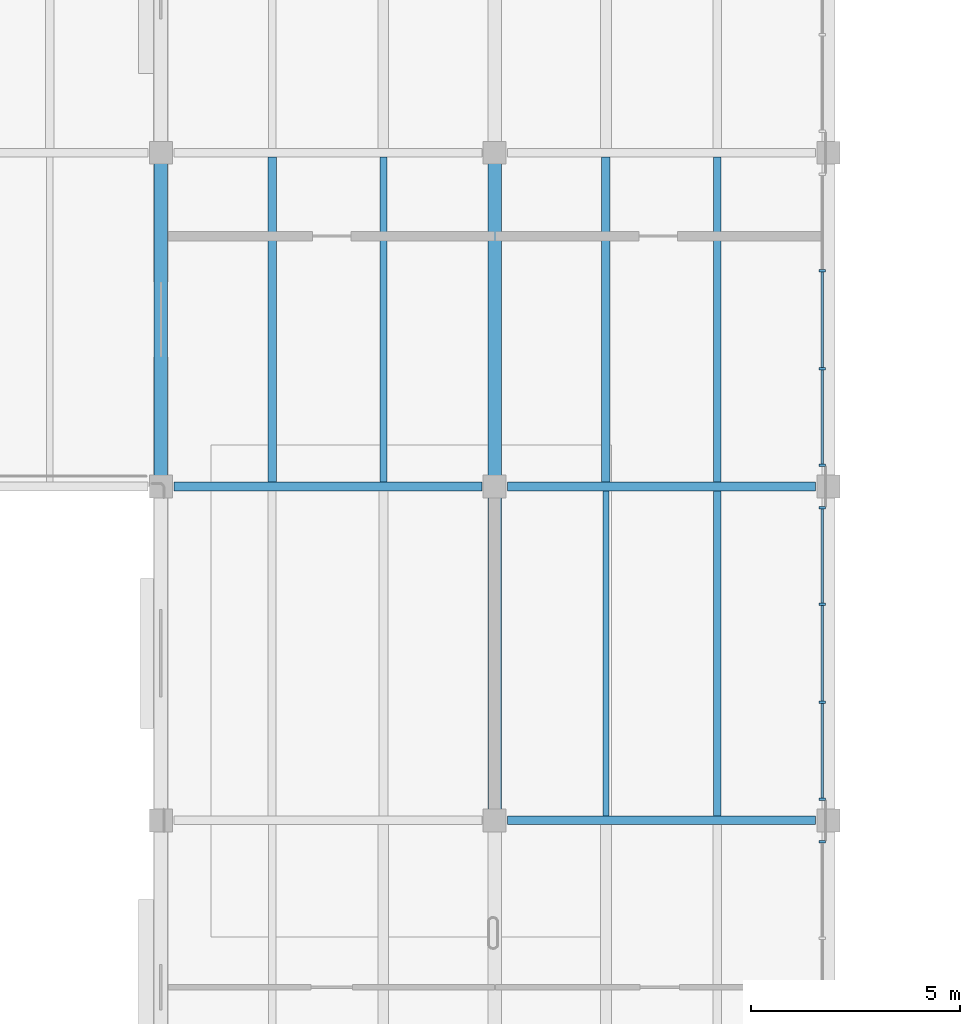
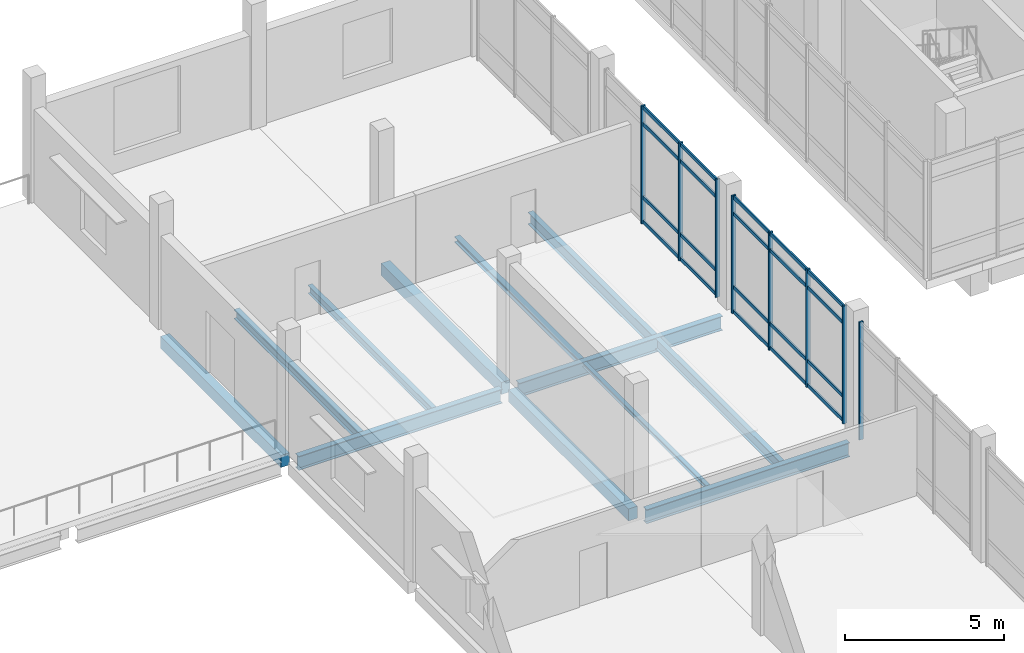
# One storey, part 11 of 47: 28 members, 12 beams, 3 elements without a shape of their own.
"""IFC4 building model written with IfcOpenShell, lengths in metres."""

from ifc_helpers import new_model, si_unit, direction, frame, origin, origin_2d, place, context, subcontext, project, spatial, rectangle, i_section, extrude, material, material_profile, profile_set, type_object, element, aggregate, save


model = new_model("IFC4")

# Units and contexts
model_context = context("Model", 3, precision=1e-05, world=origin(), true_north=direction((0.0, 1.0)))
body_context = subcontext(model_context, "Body", "Model", "MODEL_VIEW")
ifc_project = project(units=[si_unit("LENGTHUNIT", "METRE"), si_unit("AREAUNIT", "SQUARE_METRE"), si_unit("VOLUMEUNIT", "CUBIC_METRE"), si_unit("PLANEANGLEUNIT", "RADIAN"), si_unit("MASSUNIT", "GRAM", prefix="KILO")], contexts=[model_context])

# Site, building, storey
site_placement = place(None, origin())
site = spatial("IfcSite", under=ifc_project, at=site_placement, CompositionType="ELEMENT")
building_placement = place(site_placement, origin())
building = spatial("IfcBuilding", under=site, at=building_placement, Name="Pecanmere Concourse Central Library", CompositionType="ELEMENT")
storey_placement = place(building_placement, frame((0.0, 0.0, 15.300048828125)))
storey = spatial("IfcBuildingStorey", under=building, at=storey_placement, Name="L04", CompositionType="ELEMENT", Elevation=15.300048828125)

# Beams
ifc_material_1 = material(Name="Concrete C40/50", Category="concrete")
ifc_material_profile_1 = material_profile(ifc_material_1, rectangle(XDim=0.320068359375, YDim=0.4599609375, at=origin_2d()), Name="RC 320x460")
ifc_profile_set_1 = profile_set([ifc_material_profile_1], Name="Concrete C40/50")
beam_type_1 = type_object("IfcBeamType", Name="BM_320x460", PredefinedType="BEAM", material=ifc_profile_set_1)
for number, where, z_axis, x_axis, name in (
    (1, (48.0, 90.219970703125, -0.550048828125), (0.0, 1.0, 0.0), (-1.0, 0.0, 0.0), "Primary Girder Y L04-2255"),
    (2, (56.0, 82.219970703125, -0.550048828125), (0.0, 1.0, 0.0), (-1.0, 0.0, 0.0), "Primary Girder Y L04-2261"),
    (3, (56.0, 90.219970703125, -0.550048828125), (0.0, 1.0, 0.0), (-1.0, 0.0, 0.0), "Primary Girder Y L04-2262"),
):
    element("IfcBeam", number, at=place(storey_placement, frame(where, z_axis=z_axis, x_axis=x_axis)), inside=storey, type_object=beam_type_1, Name=name, PredefinedType="BEAM", context=body_context, shape_type="SweptSolid", body=[
        extrude(rectangle(XDim=0.320068359375, YDim=0.4599609375, at=origin_2d()), origin(), (0.0, 0.0, 1.0), 7.56005859375),
    ])

# Curtain wall, member
ifc_material_2 = material(Name="Clear anodized aluminium alloy 6063-T6", Category="aluminium")
curtain_wall_type = type_object("IfcCurtainWallType", Name="CW_CLOISTER_GLAZ", PredefinedType="USERDEFINED", material=ifc_material_2)
curtain_wall_1_placement = place(storey_placement, origin())
curtain_wall_1 = element("IfcCurtainWall", 4, at=curtain_wall_1_placement, inside=storey, type_object=curtain_wall_type, Name="Unitised Curtain Wall CW-04 L04-146", ObjectType="UNITISED CURTAIN WALL", PredefinedType="USERDEFINED")
ifc_material_3 = material(Name="Clear anodized aluminium alloy 6063-T6", Category="aluminium")
ifc_material_profile_2 = material_profile(ifc_material_3, rectangle(XDim=0.06005859375, YDim=0.14990234375, at=origin_2d()), Name="AL 60x150")
ifc_profile_set_2 = profile_set([ifc_material_profile_2], Name="Clear anodized aluminium alloy 6063-T6")
member_type_1 = type_object("IfcMemberType", Name="CWM_150x60", PredefinedType="MULLION", material=ifc_profile_set_2)
member_1_placement = place(storey_placement, frame((63.85009765625, 81.489990234375, 0.0), z_axis=(0.0, 0.0, 1.0), x_axis=(0.0, 1.0, 0.0)))
member_1 = element("IfcMember", 5, at=member_1_placement, type_object=member_type_1, Name="CW-04 Mullion 4", PredefinedType="MULLION", context=body_context, shape_type="SweptSolid", body=[
    extrude(rectangle(XDim=0.06005859375, YDim=0.14990234375, at=origin_2d()), origin(), (0.0, 0.0, 1.0), 4.52001953125),
])
aggregate(curtain_wall_1, [member_1])

# Curtain wall, members
curtain_wall_2_placement = place(storey_placement, origin())
curtain_wall_2 = element("IfcCurtainWall", 6, at=curtain_wall_2_placement, inside=storey, type_object=curtain_wall_type, Name="Unitised Curtain Wall CW-04 L04-148", ObjectType="UNITISED CURTAIN WALL", PredefinedType="USERDEFINED")
member_2_placement = place(storey_placement, frame((63.85009765625, 82.510009765625, 0.0), z_axis=(0.0, 0.0, 1.0), x_axis=(0.0, 1.0, 0.0)))
member_2 = element("IfcMember", 7, at=member_2_placement, type_object=member_type_1, Name="CW-04 Mullion 1", PredefinedType="MULLION", context=body_context, shape_type="SweptSolid", body=[
    extrude(rectangle(XDim=0.06005859375, YDim=0.14990234375, at=origin_2d()), origin(), (0.0, 0.0, 1.0), 4.52001953125),
])
member_3_placement = place(storey_placement, frame((63.85009765625, 84.82666015625, 0.0), z_axis=(0.0, 0.0, 1.0), x_axis=(0.0, 1.0, 0.0)))
member_3 = element("IfcMember", 8, at=member_3_placement, type_object=member_type_1, Name="CW-04 Mullion 2", PredefinedType="MULLION", context=body_context, shape_type="SweptSolid", body=[
    extrude(rectangle(XDim=0.06005859375, YDim=0.14990234375, at=origin_2d()), origin(), (0.0, 0.0, 1.0), 4.52001953125),
])
member_4_placement = place(storey_placement, frame((63.85009765625, 87.17333984375, 0.0), z_axis=(0.0, 0.0, 1.0), x_axis=(0.0, 1.0, 0.0)))
member_4 = element("IfcMember", 9, at=member_4_placement, type_object=member_type_1, Name="CW-04 Mullion 3", PredefinedType="MULLION", context=body_context, shape_type="SweptSolid", body=[
    extrude(rectangle(XDim=0.06005859375, YDim=0.14990234375, at=origin_2d()), origin(), (0.0, 0.0, 1.0), 4.52001953125),
])
member_5_placement = place(storey_placement, frame((63.85009765625, 89.489990234375, 0.0), z_axis=(0.0, 0.0, 1.0), x_axis=(0.0, 1.0, 0.0)))
member_5 = element("IfcMember", 10, at=member_5_placement, type_object=member_type_1, Name="CW-04 Mullion 4", PredefinedType="MULLION", context=body_context, shape_type="SweptSolid", body=[
    extrude(rectangle(XDim=0.06005859375, YDim=0.14990234375, at=origin_2d()), origin(), (0.0, 0.0, 1.0), 4.52001953125),
])

curtain_wall_3_placement = place(storey_placement, origin())
curtain_wall_3 = element("IfcCurtainWall", 11, at=curtain_wall_3_placement, inside=storey, type_object=curtain_wall_type, Name="Unitised Curtain Wall CW-04 L04-150", ObjectType="UNITISED CURTAIN WALL", PredefinedType="USERDEFINED")
member_6_placement = place(storey_placement, frame((63.85009765625, 90.510009765625, 0.0), z_axis=(0.0, 0.0, 1.0), x_axis=(0.0, 1.0, 0.0)))
member_6 = element("IfcMember", 12, at=member_6_placement, type_object=member_type_1, Name="CW-04 Mullion 1", PredefinedType="MULLION", context=body_context, shape_type="SweptSolid", body=[
    extrude(rectangle(XDim=0.06005859375, YDim=0.14990234375, at=origin_2d()), origin(), (0.0, 0.0, 1.0), 4.52001953125),
])
member_7_placement = place(storey_placement, frame((63.85009765625, 92.82666015625, 0.0), z_axis=(0.0, 0.0, 1.0), x_axis=(0.0, 1.0, 0.0)))
member_7 = element("IfcMember", 13, at=member_7_placement, type_object=member_type_1, Name="CW-04 Mullion 2", PredefinedType="MULLION", context=body_context, shape_type="SweptSolid", body=[
    extrude(rectangle(XDim=0.06005859375, YDim=0.14990234375, at=origin_2d()), origin(), (0.0, 0.0, 1.0), 4.52001953125),
])
member_8_placement = place(storey_placement, frame((63.85009765625, 95.17333984375, 0.0), z_axis=(0.0, 0.0, 1.0), x_axis=(0.0, 1.0, 0.0)))
member_8 = element("IfcMember", 14, at=member_8_placement, type_object=member_type_1, Name="CW-04 Mullion 3", PredefinedType="MULLION", context=body_context, shape_type="SweptSolid", body=[
    extrude(rectangle(XDim=0.06005859375, YDim=0.14990234375, at=origin_2d()), origin(), (0.0, 0.0, 1.0), 4.52001953125),
])

# Member
ifc_material_4 = material(Name="Clear anodized aluminium alloy 6063-T6", Category="aluminium")
ifc_material_profile_3 = material_profile(ifc_material_4, rectangle(XDim=0.054931640625, YDim=0.139892578125, at=origin_2d()), Name="AL 55x140")
ifc_profile_set_3 = profile_set([ifc_material_profile_3], Name="Clear anodized aluminium alloy 6063-T6")
member_type_2 = type_object("IfcMemberType", Name="CWT_140x55", PredefinedType="USERDEFINED", material=ifc_profile_set_3)
member_9_placement = place(storey_placement, frame((63.85009765625, 82.5400390625, 0.070068359375), z_axis=(0.0, 1.0, 0.0), x_axis=(-1.0, 0.0, 0.0)))
member_9 = element("IfcMember", 15, at=member_9_placement, type_object=member_type_2, Name="CW-04 Transom 1.1", ObjectType="TRANSOM", PredefinedType="USERDEFINED", context=body_context, shape_type="SweptSolid", body=[
    extrude(rectangle(XDim=0.054931640625, YDim=0.139892578125, at=origin_2d()), origin(), (0.0, 0.0, 1.0), 2.256591796875),
])

member_10_placement = place(storey_placement, frame((63.85009765625, 82.5400390625, 1.0), z_axis=(0.0, 1.0, 0.0), x_axis=(-1.0, 0.0, 0.0)))
member_10 = element("IfcMember", 16, at=member_10_placement, type_object=member_type_2, Name="CW-04 Transom 1.2", ObjectType="TRANSOM", PredefinedType="USERDEFINED", context=body_context, shape_type="SweptSolid", body=[
    extrude(rectangle(XDim=0.054931640625, YDim=0.139892578125, at=origin_2d()), origin(), (0.0, 0.0, 1.0), 2.256591796875),
])

member_11_placement = place(storey_placement, frame((63.85009765625, 82.5400390625, 3.820068359375), z_axis=(0.0, 1.0, 0.0), x_axis=(-1.0, 0.0, 0.0)))
member_11 = element("IfcMember", 17, at=member_11_placement, type_object=member_type_2, Name="CW-04 Transom 1.3", ObjectType="TRANSOM", PredefinedType="USERDEFINED", context=body_context, shape_type="SweptSolid", body=[
    extrude(rectangle(XDim=0.054931640625, YDim=0.139892578125, at=origin_2d()), origin(), (0.0, 0.0, 1.0), 2.256591796875),
])

member_12_placement = place(storey_placement, frame((63.85009765625, 82.5400390625, 4.449951171875), z_axis=(0.0, 1.0, 0.0), x_axis=(-1.0, 0.0, 0.0)))
member_12 = element("IfcMember", 18, at=member_12_placement, type_object=member_type_2, Name="CW-04 Transom 1.4", ObjectType="TRANSOM", PredefinedType="USERDEFINED", context=body_context, shape_type="SweptSolid", body=[
    extrude(rectangle(XDim=0.054931640625, YDim=0.139892578125, at=origin_2d()), origin(), (0.0, 0.0, 1.0), 2.256591796875),
])

member_13_placement = place(storey_placement, frame((63.85009765625, 84.856689453125, 0.070068359375), z_axis=(0.0, 1.0, 0.0), x_axis=(-1.0, 0.0, 0.0)))
member_13 = element("IfcMember", 19, at=member_13_placement, type_object=member_type_2, Name="CW-04 Transom 2.1", ObjectType="TRANSOM", PredefinedType="USERDEFINED", context=body_context, shape_type="SweptSolid", body=[
    extrude(rectangle(XDim=0.054931640625, YDim=0.139892578125, at=origin_2d()), origin(), (0.0, 0.0, 1.0), 2.28662109375),
])

member_14_placement = place(storey_placement, frame((63.85009765625, 84.856689453125, 1.0), z_axis=(0.0, 1.0, 0.0), x_axis=(-1.0, 0.0, 0.0)))
member_14 = element("IfcMember", 20, at=member_14_placement, type_object=member_type_2, Name="CW-04 Transom 2.2", ObjectType="TRANSOM", PredefinedType="USERDEFINED", context=body_context, shape_type="SweptSolid", body=[
    extrude(rectangle(XDim=0.054931640625, YDim=0.139892578125, at=origin_2d()), origin(), (0.0, 0.0, 1.0), 2.28662109375),
])

member_15_placement = place(storey_placement, frame((63.85009765625, 84.856689453125, 3.820068359375), z_axis=(0.0, 1.0, 0.0), x_axis=(-1.0, 0.0, 0.0)))
member_15 = element("IfcMember", 21, at=member_15_placement, type_object=member_type_2, Name="CW-04 Transom 2.3", ObjectType="TRANSOM", PredefinedType="USERDEFINED", context=body_context, shape_type="SweptSolid", body=[
    extrude(rectangle(XDim=0.054931640625, YDim=0.139892578125, at=origin_2d()), origin(), (0.0, 0.0, 1.0), 2.28662109375),
])

member_16_placement = place(storey_placement, frame((63.85009765625, 84.856689453125, 4.449951171875), z_axis=(0.0, 1.0, 0.0), x_axis=(-1.0, 0.0, 0.0)))
member_16 = element("IfcMember", 22, at=member_16_placement, type_object=member_type_2, Name="CW-04 Transom 2.4", ObjectType="TRANSOM", PredefinedType="USERDEFINED", context=body_context, shape_type="SweptSolid", body=[
    extrude(rectangle(XDim=0.054931640625, YDim=0.139892578125, at=origin_2d()), origin(), (0.0, 0.0, 1.0), 2.28662109375),
])

member_17_placement = place(storey_placement, frame((63.85009765625, 87.203369140625, 0.070068359375), z_axis=(0.0, 1.0, 0.0), x_axis=(-1.0, 0.0, 0.0)))
member_17 = element("IfcMember", 23, at=member_17_placement, type_object=member_type_2, Name="CW-04 Transom 3.1", ObjectType="TRANSOM", PredefinedType="USERDEFINED", context=body_context, shape_type="SweptSolid", body=[
    extrude(rectangle(XDim=0.054931640625, YDim=0.139892578125, at=origin_2d()), origin(), (0.0, 0.0, 1.0), 2.256591796875),
])

member_18_placement = place(storey_placement, frame((63.85009765625, 87.203369140625, 1.0), z_axis=(0.0, 1.0, 0.0), x_axis=(-1.0, 0.0, 0.0)))
member_18 = element("IfcMember", 24, at=member_18_placement, type_object=member_type_2, Name="CW-04 Transom 3.2", ObjectType="TRANSOM", PredefinedType="USERDEFINED", context=body_context, shape_type="SweptSolid", body=[
    extrude(rectangle(XDim=0.054931640625, YDim=0.139892578125, at=origin_2d()), origin(), (0.0, 0.0, 1.0), 2.256591796875),
])

member_19_placement = place(storey_placement, frame((63.85009765625, 87.203369140625, 3.820068359375), z_axis=(0.0, 1.0, 0.0), x_axis=(-1.0, 0.0, 0.0)))
member_19 = element("IfcMember", 25, at=member_19_placement, type_object=member_type_2, Name="CW-04 Transom 3.3", ObjectType="TRANSOM", PredefinedType="USERDEFINED", context=body_context, shape_type="SweptSolid", body=[
    extrude(rectangle(XDim=0.054931640625, YDim=0.139892578125, at=origin_2d()), origin(), (0.0, 0.0, 1.0), 2.256591796875),
])

member_20_placement = place(storey_placement, frame((63.85009765625, 87.203369140625, 4.449951171875), z_axis=(0.0, 1.0, 0.0), x_axis=(-1.0, 0.0, 0.0)))
member_20 = element("IfcMember", 26, at=member_20_placement, type_object=member_type_2, Name="CW-04 Transom 3.4", ObjectType="TRANSOM", PredefinedType="USERDEFINED", context=body_context, shape_type="SweptSolid", body=[
    extrude(rectangle(XDim=0.054931640625, YDim=0.139892578125, at=origin_2d()), origin(), (0.0, 0.0, 1.0), 2.256591796875),
])

aggregate(curtain_wall_2, [member_2, member_3, member_4, member_5, member_9, member_10, member_11, member_12, member_13, member_14, member_15, member_16, member_17, member_18, member_19, member_20])

member_21_placement = place(storey_placement, frame((63.85009765625, 90.5400390625, 0.070068359375), z_axis=(0.0, 1.0, 0.0), x_axis=(-1.0, 0.0, 0.0)))
member_21 = element("IfcMember", 27, at=member_21_placement, type_object=member_type_2, Name="CW-04 Transom 1.1", ObjectType="TRANSOM", PredefinedType="USERDEFINED", context=body_context, shape_type="SweptSolid", body=[
    extrude(rectangle(XDim=0.054931640625, YDim=0.139892578125, at=origin_2d()), origin(), (0.0, 0.0, 1.0), 2.256591796875),
])

member_22_placement = place(storey_placement, frame((63.85009765625, 90.5400390625, 1.0), z_axis=(0.0, 1.0, 0.0), x_axis=(-1.0, 0.0, 0.0)))
member_22 = element("IfcMember", 28, at=member_22_placement, type_object=member_type_2, Name="CW-04 Transom 1.2", ObjectType="TRANSOM", PredefinedType="USERDEFINED", context=body_context, shape_type="SweptSolid", body=[
    extrude(rectangle(XDim=0.054931640625, YDim=0.139892578125, at=origin_2d()), origin(), (0.0, 0.0, 1.0), 2.256591796875),
])

member_23_placement = place(storey_placement, frame((63.85009765625, 90.5400390625, 3.820068359375), z_axis=(0.0, 1.0, 0.0), x_axis=(-1.0, 0.0, 0.0)))
member_23 = element("IfcMember", 29, at=member_23_placement, type_object=member_type_2, Name="CW-04 Transom 1.3", ObjectType="TRANSOM", PredefinedType="USERDEFINED", context=body_context, shape_type="SweptSolid", body=[
    extrude(rectangle(XDim=0.054931640625, YDim=0.139892578125, at=origin_2d()), origin(), (0.0, 0.0, 1.0), 2.256591796875),
])

member_24_placement = place(storey_placement, frame((63.85009765625, 90.5400390625, 4.449951171875), z_axis=(0.0, 1.0, 0.0), x_axis=(-1.0, 0.0, 0.0)))
member_24 = element("IfcMember", 30, at=member_24_placement, type_object=member_type_2, Name="CW-04 Transom 1.4", ObjectType="TRANSOM", PredefinedType="USERDEFINED", context=body_context, shape_type="SweptSolid", body=[
    extrude(rectangle(XDim=0.054931640625, YDim=0.139892578125, at=origin_2d()), origin(), (0.0, 0.0, 1.0), 2.256591796875),
])

member_25_placement = place(storey_placement, frame((63.85009765625, 92.856689453125, 0.070068359375), z_axis=(0.0, 1.0, 0.0), x_axis=(-1.0, 0.0, 0.0)))
member_25 = element("IfcMember", 31, at=member_25_placement, type_object=member_type_2, Name="CW-04 Transom 2.1", ObjectType="TRANSOM", PredefinedType="USERDEFINED", context=body_context, shape_type="SweptSolid", body=[
    extrude(rectangle(XDim=0.054931640625, YDim=0.139892578125, at=origin_2d()), origin(), (0.0, 0.0, 1.0), 2.28662109375),
])

member_26_placement = place(storey_placement, frame((63.85009765625, 92.856689453125, 1.0), z_axis=(0.0, 1.0, 0.0), x_axis=(-1.0, 0.0, 0.0)))
member_26 = element("IfcMember", 32, at=member_26_placement, type_object=member_type_2, Name="CW-04 Transom 2.2", ObjectType="TRANSOM", PredefinedType="USERDEFINED", context=body_context, shape_type="SweptSolid", body=[
    extrude(rectangle(XDim=0.054931640625, YDim=0.139892578125, at=origin_2d()), origin(), (0.0, 0.0, 1.0), 2.28662109375),
])

member_27_placement = place(storey_placement, frame((63.85009765625, 92.856689453125, 3.820068359375), z_axis=(0.0, 1.0, 0.0), x_axis=(-1.0, 0.0, 0.0)))
member_27 = element("IfcMember", 33, at=member_27_placement, type_object=member_type_2, Name="CW-04 Transom 2.3", ObjectType="TRANSOM", PredefinedType="USERDEFINED", context=body_context, shape_type="SweptSolid", body=[
    extrude(rectangle(XDim=0.054931640625, YDim=0.139892578125, at=origin_2d()), origin(), (0.0, 0.0, 1.0), 2.28662109375),
])

member_28_placement = place(storey_placement, frame((63.85009765625, 92.856689453125, 4.449951171875), z_axis=(0.0, 1.0, 0.0), x_axis=(-1.0, 0.0, 0.0)))
member_28 = element("IfcMember", 34, at=member_28_placement, type_object=member_type_2, Name="CW-04 Transom 2.4", ObjectType="TRANSOM", PredefinedType="USERDEFINED", context=body_context, shape_type="SweptSolid", body=[
    extrude(rectangle(XDim=0.054931640625, YDim=0.139892578125, at=origin_2d()), origin(), (0.0, 0.0, 1.0), 2.28662109375),
])

aggregate(curtain_wall_3, [member_6, member_7, member_8, member_21, member_22, member_23, member_24, member_25, member_26, member_27, member_28])

# Beams
ifc_material_5 = material(Name="Structural steel ASTM A992 Grade 50", Category="steel")
ifc_material_profile_4 = material_profile(ifc_material_5, i_section(OverallWidth=0.152099609375, OverallDepth=0.152099609375, WebThickness=0.005859375, FlangeThickness=0.006591796875, at=origin_2d()), Name="W150x22.5")
ifc_profile_set_4 = profile_set([ifc_material_profile_4], Name="Structural steel ASTM A992 Grade 50")
beam_type_2 = type_object("IfcBeamType", Name="SBM_W150x22", PredefinedType="LINTEL", material=ifc_profile_set_4)
beam_1_placement = place(storey_placement, frame((58.666748046875, 82.10546875, -0.39599609375), z_axis=(0.0, 1.0, 0.0), x_axis=(-1.0, 0.0, 0.0)))
element("IfcBeam", 35, at=beam_1_placement, inside=storey, type_object=beam_type_2, Name="Secondary Floor Joist L04-2376", PredefinedType="LINTEL", context=body_context, shape_type="SweptSolid", body=[
    extrude(i_section(OverallWidth=0.152099609375, OverallDepth=0.152099609375, WebThickness=0.005859375, FlangeThickness=0.006591796875, at=origin_2d()), origin(), (0.0, 0.0, 1.0), 7.7890625),
])
ifc_material_6 = material(Name="Structural steel ASTM A992 Grade 50", Category="steel")
ifc_material_profile_5 = material_profile(ifc_material_6, i_section(OverallWidth=0.2041015625, OverallDepth=0.2060546875, WebThickness=0.0078125, FlangeThickness=0.0126953125, at=origin_2d()), Name="W200x52")
ifc_profile_set_5 = profile_set([ifc_material_profile_5], Name="Structural steel ASTM A992 Grade 50")
beam_type_3 = type_object("IfcBeamType", Name="SBM_W200x52", PredefinedType="JOIST", material=ifc_profile_set_5)
beam_2_placement = place(storey_placement, frame((58.666748046875, 90.10546875, -0.423095703125), z_axis=(0.0, 1.0, 0.0), x_axis=(-1.0, 0.0, 0.0)))
element("IfcBeam", 36, at=beam_2_placement, inside=storey, type_object=beam_type_3, Name="Secondary Floor Joist L04-2378", PredefinedType="JOIST", context=body_context, shape_type="SweptSolid", body=[
    extrude(i_section(OverallWidth=0.2041015625, OverallDepth=0.2060546875, WebThickness=0.0078125, FlangeThickness=0.0126953125, at=origin_2d()), origin(), (0.0, 0.0, 1.0), 7.7890625),
])
ifc_material_7 = material(Name="Structural steel ASTM A992 Grade 50", Category="steel")
ifc_material_profile_6 = material_profile(ifc_material_7, i_section(OverallWidth=0.1669921875, OverallDepth=0.31689453125, WebThickness=0.007568359375, FlangeThickness=0.01318359375, at=origin_2d()), Name="W310x52")
ifc_profile_set_6 = profile_set([ifc_material_profile_6], Name="Structural steel ASTM A992 Grade 50")
beam_type_4 = type_object("IfcBeamType", Name="SBM_W310x52", PredefinedType="JOIST", material=ifc_profile_set_6)
beam_3_placement = place(storey_placement, frame((53.333251953125, 90.10546875, -0.478515625), z_axis=(0.0, 1.0, 0.0), x_axis=(-1.0, 0.0, 0.0)))
element("IfcBeam", 37, at=beam_3_placement, inside=storey, type_object=beam_type_4, Name="Secondary Floor Joist L04-2367", PredefinedType="JOIST", context=body_context, shape_type="SweptSolid", body=[
    extrude(i_section(OverallWidth=0.1669921875, OverallDepth=0.31689453125, WebThickness=0.007568359375, FlangeThickness=0.01318359375, at=origin_2d()), origin(), (0.0, 0.0, 1.0), 7.7890625),
])
ifc_material_8 = material(Name="Structural steel ASTM A992 Grade 50", Category="steel")
ifc_material_profile_7 = material_profile(ifc_material_8, i_section(OverallWidth=0.202880859375, OverallDepth=0.346923828125, WebThickness=0.0078125, FlangeThickness=0.013427734375, at=origin_2d()), Name="W360x64")
ifc_profile_set_7 = profile_set([ifc_material_profile_7], Name="Structural steel ASTM A992 Grade 50")
beam_type_5 = type_object("IfcBeamType", Name="SBM_W360x64", PredefinedType="JOIST", material=ifc_profile_set_7)
beam_4_placement = place(storey_placement, frame((50.666748046875, 90.10546875, -0.49365234375), z_axis=(0.0, 1.0, 0.0), x_axis=(-1.0, 0.0, 0.0)))
element("IfcBeam", 38, at=beam_4_placement, inside=storey, type_object=beam_type_5, Name="Secondary Floor Joist L04-2366", PredefinedType="JOIST", context=body_context, shape_type="SweptSolid", body=[
    extrude(i_section(OverallWidth=0.202880859375, OverallDepth=0.346923828125, WebThickness=0.0078125, FlangeThickness=0.013427734375, at=origin_2d()), origin(), (0.0, 0.0, 1.0), 7.7890625),
])
ifc_material_9 = material(Name="Structural steel ASTM A992 Grade 50", Category="steel")
ifc_material_profile_8 = material_profile(ifc_material_9, i_section(OverallWidth=0.177978515625, OverallDepth=0.406982421875, WebThickness=0.0078125, FlangeThickness=0.0126953125, at=origin_2d()), Name="W410x60")
ifc_profile_set_8 = profile_set([ifc_material_profile_8], Name="Structural steel ASTM A992 Grade 50")
beam_type_6 = type_object("IfcBeamType", Name="SBM_W410x60", PredefinedType="JOIST", material=ifc_profile_set_8)
beam_5_placement = place(storey_placement, frame((61.333251953125, 82.10546875, -0.5234375), z_axis=(0.0, 1.0, 0.0), x_axis=(-1.0, 0.0, 0.0)))
element("IfcBeam", 39, at=beam_5_placement, inside=storey, type_object=beam_type_6, Name="Secondary Floor Joist L04-2377", PredefinedType="JOIST", context=body_context, shape_type="SweptSolid", body=[
    extrude(i_section(OverallWidth=0.177978515625, OverallDepth=0.406982421875, WebThickness=0.0078125, FlangeThickness=0.0126953125, at=origin_2d()), origin(), (0.0, 0.0, 1.0), 7.7890625),
])
ifc_material_10 = material(Name="Structural steel ASTM A992 Grade 50", Category="steel")
ifc_material_profile_9 = material_profile(ifc_material_10, i_section(OverallWidth=0.18994140625, OverallDepth=0.45703125, WebThickness=0.009033203125, FlangeThickness=0.014404296875, at=origin_2d()), Name="W460x74")
ifc_profile_set_9 = profile_set([ifc_material_profile_9], Name="Structural steel ASTM A992 Grade 50")
beam_type_7 = type_object("IfcBeamType", Name="SBM_W460x74", PredefinedType="BEAM", material=ifc_profile_set_9)
beam_6_placement = place(storey_placement, frame((61.333251953125, 90.10546875, -0.548583984375), z_axis=(0.0, 1.0, 0.0), x_axis=(-1.0, 0.0, 0.0)))
element("IfcBeam", 40, at=beam_6_placement, inside=storey, type_object=beam_type_7, Name="Secondary Floor Joist L04-2379", PredefinedType="BEAM", context=body_context, shape_type="SweptSolid", body=[
    extrude(i_section(OverallWidth=0.18994140625, OverallDepth=0.45703125, WebThickness=0.009033203125, FlangeThickness=0.014404296875, at=origin_2d()), origin(), (0.0, 0.0, 1.0), 7.7890625),
])
ifc_material_11 = material(Name="Structural steel ASTM A992 Grade 50", Category="steel")
ifc_material_profile_10 = material_profile(ifc_material_11, i_section(OverallWidth=0.2109375, OverallDepth=0.5390625, WebThickness=0.01171875, FlangeThickness=0.018798828125, at=origin_2d()), Name="W530x109")
ifc_profile_set_10 = profile_set([ifc_material_profile_10], Name="Structural steel ASTM A992 Grade 50")
beam_type_8 = type_object("IfcBeamType", Name="SBM_W530x109", PredefinedType="USERDEFINED", material=ifc_profile_set_10)
for number, where, z_axis, x_axis, name in (
    (41, (56.31005859375, 82.0, -0.589599609375), (1.0, 0.0, 0.0), (0.0, 1.0, 0.0), "Primary Girder X L04-2176"),
    (42, (48.31005859375, 90.0, -0.589599609375), (1.0, 0.0, 0.0), (0.0, 1.0, 0.0), "Primary Girder X L04-2181"),
    (43, (56.31005859375, 90.0, -0.589599609375), (1.0, 0.0, 0.0), (0.0, 1.0, 0.0), "Primary Girder X L04-2182"),
):
    element("IfcBeam", number, at=place(storey_placement, frame(where, z_axis=z_axis, x_axis=x_axis)), inside=storey, type_object=beam_type_8, Name=name, ObjectType="GIRDER", PredefinedType="USERDEFINED", context=body_context, shape_type="SweptSolid", body=[
        extrude(i_section(OverallWidth=0.2109375, OverallDepth=0.5390625, WebThickness=0.01171875, FlangeThickness=0.018798828125, at=origin_2d()), origin(), (0.0, 0.0, 1.0), 7.3798828125),
    ])

save(model, "model.ifc")
